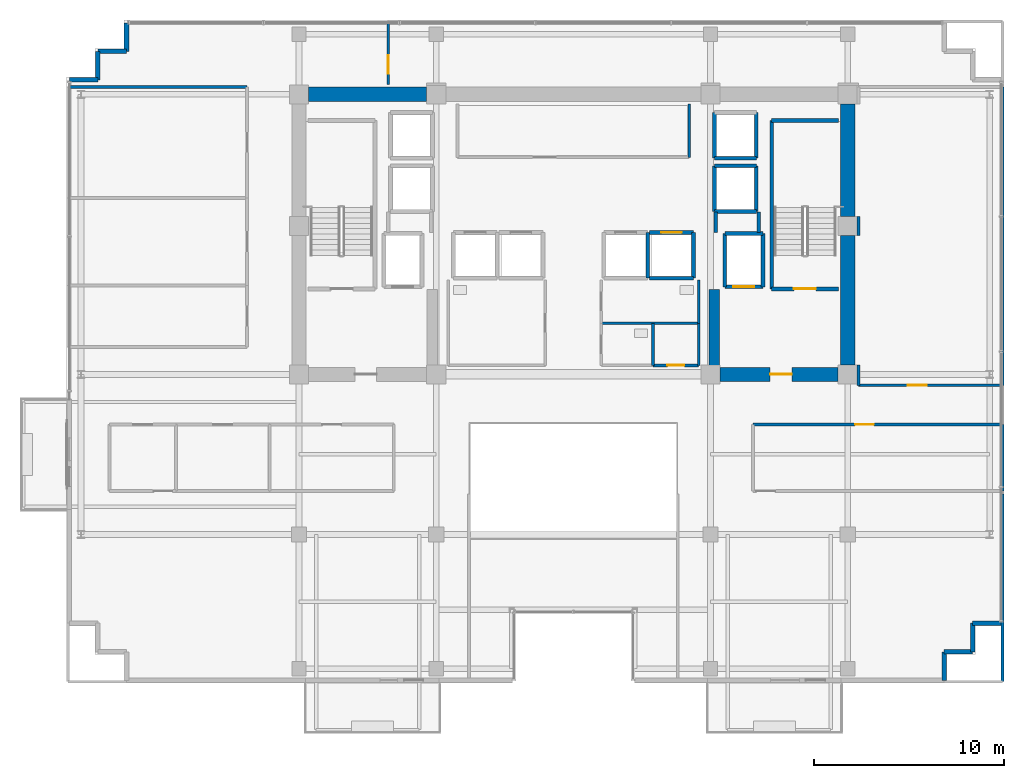
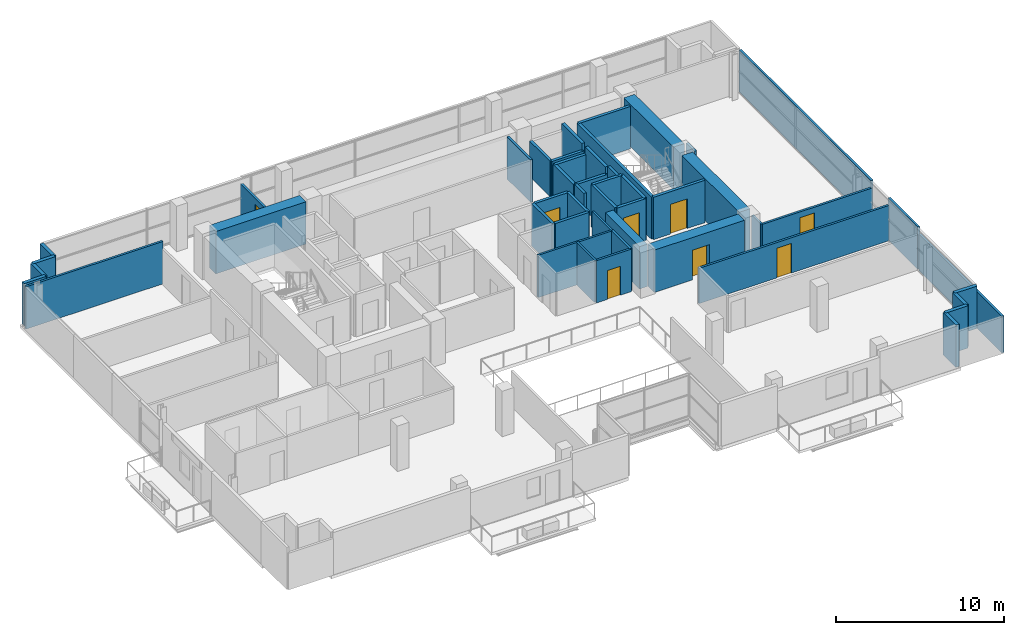
# One storey, part 16 of 21: 48 walls, 8 doors, 8 openings.
"""IFC4 building model written with IfcOpenShell, lengths in metres."""

from ifc_helpers import new_model, si_unit, direction, frame, frame_2d, origin, place, context, subcontext, project, spatial, rectangle, extrude, source, transform, mapped, material, layer, layer_set, type_object, element, fill, save


model = new_model("IFC4")

# Units and contexts
model_context = context("Model", 3, precision=1e-05, world=origin(), true_north=direction((0.0, 1.0)))
body_context = subcontext(model_context, "Body", "Model", "MODEL_VIEW")
ifc_project = project(units=[si_unit("LENGTHUNIT", "METRE"), si_unit("AREAUNIT", "SQUARE_METRE"), si_unit("VOLUMEUNIT", "CUBIC_METRE"), si_unit("PLANEANGLEUNIT", "RADIAN"), si_unit("MASSUNIT", "GRAM", prefix="KILO")], contexts=[model_context])

# Site, building, storey
site_placement = place(None, origin())
site = spatial("IfcSite", under=ifc_project, at=site_placement, CompositionType="ELEMENT")
building_placement = place(site_placement, origin())
building = spatial("IfcBuilding", under=site, at=building_placement, Name="Zarnakvel Exchange Tower", CompositionType="ELEMENT")
storey_placement = place(building_placement, frame((0.0, 0.0, 166.0)))
storey = spatial("IfcBuildingStorey", under=building, at=storey_placement, Name="L46", CompositionType="ELEMENT", Elevation=166.0)

# Walls
ifc_material_1 = material(Name="Concrete C60/75", Category="concrete")
ifc_layer_1 = layer(ifc_material_1, 0.75)
ifc_layer_set_1 = layer_set([ifc_layer_1], Name="Concrete C60/75")
wall_type_1 = type_object("IfcWallType", Name="CW-C3", PredefinedType="SHEAR", material=ifc_layer_set_1)
wall_1_placement = place(storey_placement, frame((-13.89990234375, 13.5, 0.0), z_axis=(0.0, 0.0, 1.0), x_axis=(1.0, 0.0, 0.0)))
element("IfcWall", 1, at=wall_1_placement, inside=storey, type_object=wall_type_1, Name="L46 Rear Core Shear Wall N1 (CW-C3)", PredefinedType="SHEAR", context=body_context, shape_type="SweptSolid", body=[
    extrude(rectangle(XDim=6.199951171875, YDim=0.75, at=frame_2d((3.10009765625, 0.0))), origin(), (0.0, 0.0, 1.0), 3.074951171875),
])
wall_2_placement = place(storey_placement, frame((14.39990234375, -0.699951171875, 0.0), z_axis=(0.0, 0.0, 1.0), x_axis=(0.0, 1.0, 0.0)))
element("IfcWall", 2, at=wall_2_placement, inside=storey, type_object=wall_type_1, Name="L46 Rear Core Shear Wall E1 (CW-C3)", PredefinedType="SHEAR", context=body_context, shape_type="SweptSolid", body=[
    extrude(rectangle(XDim=6.800048828125, YDim=0.75, at=frame_2d((3.39990234375, 0.0))), origin(), (0.0, 0.0, 1.0), 3.074951171875),
])
wall_3_placement = place(storey_placement, frame((14.39990234375, 7.10009765625, 0.0), z_axis=(0.0, 0.0, 1.0), x_axis=(0.0, 1.0, 0.0)))
element("IfcWall", 3, at=wall_3_placement, inside=storey, type_object=wall_type_1, Name="L46 Rear Core Shear Wall E2 (CW-C3)", PredefinedType="SHEAR", context=body_context, shape_type="SweptSolid", body=[
    extrude(rectangle(XDim=5.89990234375, YDim=0.75, at=frame_2d((2.949951171875, 0.0))), origin(), (0.0, 0.0, 1.0), 3.074951171875),
])

# Wall, opening, door
wall_4_placement = place(storey_placement, frame((13.89990234375, -1.199951171875, 0.0), z_axis=(0.0, 0.0, 1.0), x_axis=(-1.0, 0.0, 0.0)))
wall_4 = element("IfcWall", 4, at=wall_4_placement, inside=storey, type_object=wall_type_1, Name="L46 Rear Core Shear Wall SE (CW-C3)", PredefinedType="SHEAR", context=body_context, shape_type="SweptSolid", body=[
    extrude(rectangle(XDim=6.199951171875, YDim=0.75, at=frame_2d((3.10009765625, 0.0))), origin(), (0.0, 0.0, 1.0), 3.074951171875),
])
opening_1_placement = place(wall_4_placement, frame((2.425048828125, 0.0, 0.0)))
opening_1 = element("IfcOpeningElement", 5, at=opening_1_placement, cuts=wall_4, Name="Opening D-L46-04", PredefinedType="OPENING", context=body_context, shape_type="SweptSolid", body=[
    extrude(rectangle(XDim=1.14990234375, YDim=2.14990234375, at=frame_2d((0.574951171875, 1.074951171875))), frame((0.0, 0.385009765625, 0.0), z_axis=(0.0, -1.0, 0.0), x_axis=(1.0, 0.0, 0.0)), (0.0, 0.0, 1.0), 0.77001953125),
])
ifc_material_2 = material(Name="Painted Galvanised Steel S355", Category="steel")
door_type_1 = type_object("IfcDoorType", Name="DT-04", OperationType="NOTDEFINED", PredefinedType="DOOR", material=ifc_material_2)
shared_shape_1 = source(origin(), body_context, "Body", "SweptSolid", [
    extrude(rectangle(XDim=1.14990234375, YDim=2.14990234375, at=frame_2d((0.574951171875, 1.074951171875))), frame((0.0, 0.02490234375, 0.0), z_axis=(0.0, -1.0, 0.0), x_axis=(1.0, 0.0, 0.0)), (0.0, 0.0, 1.0), 0.050048828125),
])
door_1_placement = place(opening_1_placement, origin())
door_1 = element("IfcDoor", 6, at=door_1_placement, inside=storey, type_object=door_type_1, Name="L46 Firefighting Lobby East Door D-L46-04", OperationType="SINGLE_SWING_LEFT", OverallHeight=2.14990234375, OverallWidth=1.14990234375, PredefinedType="DOOR", context=body_context, shape_type="MappedRepresentation", body=[
    mapped(shared_shape_1, transform((0.0, 0.0, 0.0), x_axis=(1.0, 0.0, 0.0), y_axis=(0.0, 1.0, 0.0), z_axis=(0.0, 0.0, 1.0), scale=1.0)),
])
fill(opening_1, door_1)

# Walls
ifc_layer_2 = layer(ifc_material_1, 0.550048828125)
ifc_layer_set_2 = layer_set([ifc_layer_2], Name="Concrete C60/75")
wall_type_2 = type_object("IfcWallType", Name="CW-C4", PredefinedType="SHEAR", material=ifc_layer_set_2)
wall_5_placement = place(storey_placement, frame((7.39990234375, -0.824951171875, 0.0), z_axis=(0.0, 0.0, 1.0), x_axis=(0.0, 1.0, 0.0)))
element("IfcWall", 7, at=wall_5_placement, inside=storey, type_object=wall_type_2, Name="L46 Rear Core Shear Wall IE (CW-C4)", PredefinedType="SHEAR", context=body_context, shape_type="SweptSolid", body=[
    extrude(rectangle(XDim=4.074951171875, YDim=0.550048828125, at=frame_2d((2.03759765625, 0.0))), origin(), (0.0, 0.0, 1.0), 3.074951171875),
])
ifc_material_3 = material(Name="Precast concrete C40/50", Category="concrete")
ifc_layer_3 = layer(ifc_material_3, 0.239990234375)
ifc_layer_set_3 = layer_set([ifc_layer_3], Name="Precast concrete C40/50")
wall_type_3 = type_object("IfcWallType", Name="EW-02", PredefinedType="SOLIDWALL", material=ifc_layer_set_3)
for number, where, z_axis, x_axis, name in (
    (8, (-24.9599609375, 14.260009765625, 0.0), (0.0, 0.0, 1.0), (-1.0, 0.0, 0.0), "L46 Exterior Precast Spandrel Wall EWC-L46-03 (EW-02)"),
    (9, (-24.9599609375, 15.760009765625, 0.0), (0.0, 0.0, 1.0), (0.0, -1.0, 0.0), "L46 Exterior Precast Spandrel Wall EWC-L46-04 (EW-02)"),
    (10, (-23.4599609375, 15.760009765625, 0.0), (0.0, 0.0, 1.0), (-1.0, 0.0, 0.0), "L46 Exterior Precast Spandrel Wall EWC-L46-05 (EW-02)"),
    (11, (-23.4599609375, 17.260009765625, 0.0), (0.0, 0.0, 1.0), (0.0, -1.0, 0.0), "L46 Exterior Precast Spandrel Wall EWC-L46-06 (EW-02)"),
    (12, (20.9599609375, -14.260009765625, 0.0), (0.0, 0.0, 1.0), (1.0, 0.0, 0.0), "L46 Exterior Precast Spandrel Wall EWC-L46-11 (EW-02)"),
    (13, (20.9599609375, -15.760009765625, 0.0), (0.0, 0.0, 1.0), (0.0, 1.0, 0.0), "L46 Exterior Precast Spandrel Wall EWC-L46-12 (EW-02)"),
    (14, (19.4599609375, -15.760009765625, 0.0), (0.0, 0.0, 1.0), (1.0, 0.0, 0.0), "L46 Exterior Precast Spandrel Wall EWC-L46-13 (EW-02)"),
    (15, (19.4599609375, -17.260009765625, 0.0), (0.0, 0.0, 1.0), (0.0, 1.0, 0.0), "L46 Exterior Precast Spandrel Wall EWC-L46-14 (EW-02)"),
):
    element("IfcWall", number, at=place(storey_placement, frame(where, z_axis=z_axis, x_axis=x_axis)), inside=storey, type_object=wall_type_3, Name=name, PredefinedType="SOLIDWALL", context=body_context, shape_type="SweptSolid", body=[
        extrude(rectangle(XDim=1.5, YDim=0.239990234375, at=frame_2d((0.75, 0.0))), origin(), (0.0, 0.0, 1.0), 3.074951171875),
    ])
ifc_material_4 = material(Name="Fire-Rated Gypsum Stud Partition", Category="gypsum")
ifc_layer_4 = layer(ifc_material_4, 0.14990234375)
ifc_layer_set_4 = layer_set([ifc_layer_4], Name="Fire-Rated Gypsum Stud Partition")
wall_type_4 = type_object("IfcWallType", Name="PT-01", PredefinedType="PARTITIONING", material=ifc_layer_set_4)
wall_6_placement = place(storey_placement, frame((6.080078125, 13.0, 0.0), z_axis=(0.0, 0.0, 1.0), x_axis=(0.0, -1.0, 0.0)))
element("IfcWall", 16, at=wall_6_placement, inside=storey, type_object=wall_type_4, Name="L46 Partition Wall PWALL-L46-013 (PT-01)", PredefinedType="PARTITIONING", context=body_context, shape_type="SweptSolid", body=[
    extrude(rectangle(XDim=2.800048828125, YDim=0.14990234375, at=frame_2d((1.39990234375, 0.0))), origin(), (0.0, 0.0, 1.0), 3.074951171875),
])

# Wall, opening, door
wall_7_placement = place(storey_placement, frame((6.580078125, -0.72998046875, 0.0), z_axis=(0.0, 0.0, 1.0), x_axis=(-1.0, 0.0, 0.0)))
wall_7 = element("IfcWall", 17, at=wall_7_placement, inside=storey, type_object=wall_type_4, Name="L46 Partition Wall PWALL-L46-023 (PT-01)", PredefinedType="PARTITIONING", context=body_context, shape_type="SweptSolid", body=[
    extrude(rectangle(XDim=2.400146484375, YDim=0.14990234375, at=frame_2d((1.2001953125, 0.0))), origin(), (0.0, 0.0, 1.0), 3.074951171875),
])
opening_2_placement = place(wall_7_placement, frame((0.760009765625, 0.0, 0.0)))
opening_2 = element("IfcOpeningElement", 18, at=opening_2_placement, cuts=wall_7, Name="Opening D-L46-09", PredefinedType="OPENING", context=body_context, shape_type="SweptSolid", body=[
    extrude(rectangle(XDim=0.8798828125, YDim=2.10009765625, at=frame_2d((0.43994140625, 1.050048828125))), frame((0.0, 0.0849609375, 0.0), z_axis=(0.0, -1.0, 0.0), x_axis=(1.0, 0.0, 0.0)), (0.0, 0.0, 1.0), 0.169921875),
])
door_type_2 = type_object("IfcDoorType", Name="DT-08", OperationType="NOTDEFINED", PredefinedType="DOOR", material=ifc_material_2)
shared_shape_2 = source(origin(), body_context, "Body", "SweptSolid", [
    extrude(rectangle(XDim=0.8798828125, YDim=2.10009765625, at=frame_2d((0.43994140625, 1.050048828125))), frame((0.0, 0.02490234375, 0.0), z_axis=(0.0, -1.0, 0.0), x_axis=(1.0, 0.0, 0.0)), (0.0, 0.0, 1.0), 0.050048828125),
])
door_2_placement = place(opening_2_placement, origin())
door_2 = element("IfcDoor", 19, at=door_2_placement, inside=storey, type_object=door_type_2, Name="L46 Cleaners Store Door D-L46-09", OperationType="SINGLE_SWING_RIGHT", OverallHeight=2.10009765625, OverallWidth=0.8798828125, PredefinedType="DOOR", context=body_context, shape_type="MappedRepresentation", body=[
    mapped(shared_shape_2, transform((0.0, 0.0, 0.0), x_axis=(1.0, 0.0, 0.0), y_axis=(0.0, 1.0, 0.0), z_axis=(0.0, 0.0, 1.0), scale=1.0)),
])
fill(opening_2, door_2)

# Wall
wall_8_placement = place(storey_placement, frame((6.580078125, 1.47998046875, 0.0), z_axis=(0.0, 0.0, 1.0), x_axis=(0.0, -1.0, 0.0)))
element("IfcWall", 20, at=wall_8_placement, inside=storey, type_object=wall_type_4, Name="L46 Partition Wall PWALL-L46-024 (PT-01)", PredefinedType="PARTITIONING", context=body_context, shape_type="SweptSolid", body=[
    extrude(rectangle(XDim=2.2099609375, YDim=0.14990234375, at=frame_2d((1.10498046875, 0.0))), origin(), (0.0, 0.0, 1.0), 3.074951171875),
])

# Wall, opening, door
wall_9_placement = place(storey_placement, frame((9.429931640625, -3.830078125, 0.0), z_axis=(0.0, 0.0, 1.0), x_axis=(1.0, 0.0, 0.0)))
wall_9 = element("IfcWall", 21, at=wall_9_placement, inside=storey, type_object=wall_type_4, Name="L46 Partition Wall PWALL-L46-039 (PT-01)", PredefinedType="PARTITIONING", context=body_context, shape_type="SweptSolid", body=[
    extrude(rectangle(XDim=13.10009765625, YDim=0.14990234375, at=frame_2d((6.550048828125, 0.0))), origin(), (0.0, 0.0, 1.0), 2.56494140625),
])
opening_3_placement = place(wall_9_placement, frame((5.360107421875, 0.0, 0.0)))
opening_3 = element("IfcOpeningElement", 22, at=opening_3_placement, cuts=wall_9, Name="Opening D-L46-14", PredefinedType="OPENING", context=body_context, shape_type="SweptSolid", body=[
    extrude(rectangle(XDim=0.97998046875, YDim=2.14990234375, at=frame_2d((0.489990234375, 1.074951171875))), frame((0.0, 0.0849609375, 0.0), z_axis=(0.0, -1.0, 0.0), x_axis=(1.0, 0.0, 0.0)), (0.0, 0.0, 1.0), 0.169921875),
])
ifc_material_5 = material(Name="Timber Acoustic Veneer", Category="wood")
door_type_3 = type_object("IfcDoorType", Name="DT-05", OperationType="NOTDEFINED", PredefinedType="DOOR", material=ifc_material_5)
shared_shape_3 = source(origin(), body_context, "Body", "SweptSolid", [
    extrude(rectangle(XDim=0.97998046875, YDim=2.14990234375, at=frame_2d((0.489990234375, 1.074951171875))), frame((0.0, 0.02490234375, 0.0), z_axis=(0.0, -1.0, 0.0), x_axis=(1.0, 0.0, 0.0)), (0.0, 0.0, 1.0), 0.050048828125),
])
door_3_placement = place(opening_3_placement, origin())
door_3 = element("IfcDoor", 23, at=door_3_placement, inside=storey, type_object=door_type_3, Name="L46 Conference Room Door D-L46-14", OperationType="SINGLE_SWING_LEFT", OverallHeight=2.14990234375, OverallWidth=0.97998046875, PredefinedType="DOOR", context=body_context, shape_type="MappedRepresentation", body=[
    mapped(shared_shape_3, transform((0.0, 0.0, 0.0), x_axis=(1.0, 0.0, 0.0), y_axis=(0.0, 1.0, 0.0), z_axis=(0.0, 0.0, 1.0), scale=1.0)),
])
fill(opening_3, door_3)

# Walls
wall_10_placement = place(storey_placement, frame((22.530029296875, -3.830078125, 0.0), z_axis=(0.0, 0.0, 1.0), x_axis=(0.0, -1.0, 0.0)))
element("IfcWall", 24, at=wall_10_placement, inside=storey, type_object=wall_type_4, Name="L46 Partition Wall PWALL-L46-041 (PT-01)", PredefinedType="PARTITIONING", context=body_context, shape_type="SweptSolid", body=[
    extrude(rectangle(XDim=3.489990234375, YDim=0.14990234375, at=frame_2d((1.7451171875, 0.0))), origin(), (0.0, 0.0, 1.0), 3.074951171875),
])
wall_11_placement = place(storey_placement, frame((22.530029296875, -7.47998046875, 0.0), z_axis=(0.0, 0.0, 1.0), x_axis=(0.0, -1.0, 0.0)))
element("IfcWall", 25, at=wall_11_placement, inside=storey, type_object=wall_type_4, Name="L46 Partition Wall PWALL-L46-044 (PT-01)", PredefinedType="PARTITIONING", context=body_context, shape_type="SweptSolid", body=[
    extrude(rectangle(XDim=9.85009765625, YDim=0.14990234375, at=frame_2d((4.925048828125, 0.0))), origin(), (0.0, 0.0, 1.0), 2.6650390625),
])
wall_12_placement = place(storey_placement, frame((-26.530029296875, 13.8798828125, 0.0), z_axis=(0.0, 0.0, 1.0), x_axis=(1.0, 0.0, 0.0)))
element("IfcWall", 26, at=wall_12_placement, inside=storey, type_object=wall_type_4, Name="L46 Partition Wall PWALL-L46-052 (PT-01)", PredefinedType="PARTITIONING", context=body_context, shape_type="SweptSolid", body=[
    extrude(rectangle(XDim=9.400146484375, YDim=0.14990234375, at=frame_2d((4.7001953125, 0.0))), origin(), (0.0, 0.0, 1.0), 3.074951171875),
])

# Wall, opening, door
wall_13_placement = place(storey_placement, frame((22.530029296875, -1.77001953125, 0.0), z_axis=(0.0, 0.0, 1.0), x_axis=(-1.0, 0.0, 0.0)))
wall_13 = element("IfcWall", 27, at=wall_13_placement, inside=storey, type_object=wall_type_4, Name="L46 Partition Wall PWALL-L46-055 (PT-01)", PredefinedType="PARTITIONING", context=body_context, shape_type="SweptSolid", body=[
    extrude(rectangle(XDim=7.56005859375, YDim=0.14990234375, at=frame_2d((3.780029296875, 0.0))), origin(), (0.0, 0.0, 1.0), 2.56494140625),
])
opening_4_placement = place(wall_13_placement, frame((3.989990234375, 0.0, 0.0)))
opening_4 = element("IfcOpeningElement", 28, at=opening_4_placement, cuts=wall_13, Name="Opening D-L46-19", PredefinedType="OPENING", context=body_context, shape_type="SweptSolid", body=[
    extrude(rectangle(XDim=0.97998046875, YDim=2.14990234375, at=frame_2d((0.489990234375, 1.074951171875))), frame((0.0, 0.0849609375, 0.0), z_axis=(0.0, -1.0, 0.0), x_axis=(1.0, 0.0, 0.0)), (0.0, 0.0, 1.0), 0.169921875),
])
door_4_placement = place(opening_4_placement, origin())
door_4 = element("IfcDoor", 29, at=door_4_placement, inside=storey, type_object=door_type_3, Name="L46 Staff Pantry Door D-L46-19", OperationType="SINGLE_SWING_RIGHT", OverallHeight=2.14990234375, OverallWidth=0.97998046875, PredefinedType="DOOR", context=body_context, shape_type="MappedRepresentation", body=[
    mapped(shared_shape_3, transform((0.0, 0.0, 0.0), x_axis=(1.0, 0.0, 0.0), y_axis=(0.0, 1.0, 0.0), z_axis=(0.0, 0.0, 1.0), scale=1.0)),
])
fill(opening_4, door_4)

# Walls
wall_14_placement = place(storey_placement, frame((14.969970703125, -1.77001953125, 0.0), z_axis=(0.0, 0.0, 1.0), x_axis=(0.0, 1.0, 0.0)))
element("IfcWall", 30, at=wall_14_placement, inside=storey, type_object=wall_type_4, Name="L46 Partition Wall PWALL-L46-057 (PT-01)", PredefinedType="PARTITIONING", context=body_context, shape_type="SweptSolid", body=[
    extrude(rectangle(XDim=1.070068359375, YDim=0.14990234375, at=frame_2d((0.53515625, 0.0))), origin(), (0.0, 0.0, 1.0), 2.56494140625),
])
wall_15_placement = place(storey_placement, frame((14.969970703125, 6.10009765625, 0.0), z_axis=(0.0, 0.0, 1.0), x_axis=(0.0, 1.0, 0.0)))
element("IfcWall", 31, at=wall_15_placement, inside=storey, type_object=wall_type_4, Name="L46 Partition Wall PWALL-L46-058 (PT-01)", PredefinedType="PARTITIONING", context=body_context, shape_type="SweptSolid", body=[
    extrude(rectangle(XDim=1.0, YDim=0.14990234375, at=frame_2d((0.5, 0.0))), origin(), (0.0, 0.0, 1.0), 3.074951171875),
])
wall_16_placement = place(storey_placement, frame((22.530029296875, 13.8798828125, 0.0), z_axis=(0.0, 0.0, 1.0), x_axis=(0.0, -1.0, 0.0)))
element("IfcWall", 32, at=wall_16_placement, inside=storey, type_object=wall_type_4, Name="L46 Partition Wall PWALL-L46-060 (PT-01)", PredefinedType="PARTITIONING", context=body_context, shape_type="SweptSolid", body=[
    extrude(rectangle(XDim=15.64990234375, YDim=0.14990234375, at=frame_2d((7.824951171875, 0.0))), origin(), (0.0, 0.0, 1.0), 3.074951171875),
])

# Wall, opening, door
wall_17_placement = place(storey_placement, frame((-9.719970703125, 14.030029296875, 0.0), z_axis=(0.0, 0.0, 1.0), x_axis=(0.0, 1.0, 0.0)))
wall_17 = element("IfcWall", 33, at=wall_17_placement, inside=storey, type_object=wall_type_4, Name="L46 Partition Wall PWALL-L46-065 (PT-01)", PredefinedType="PARTITIONING", context=body_context, shape_type="SweptSolid", body=[
    extrude(rectangle(XDim=3.300048828125, YDim=0.14990234375, at=frame_2d((1.64990234375, 0.0))), origin(), (0.0, 0.0, 1.0), 2.56494140625),
])
opening_5_placement = place(wall_17_placement, frame((0.550048828125, 0.0, 0.0)))
opening_5 = element("IfcOpeningElement", 34, at=opening_5_placement, cuts=wall_17, Name="Opening D-L46-20", PredefinedType="OPENING", context=body_context, shape_type="SweptSolid", body=[
    extrude(rectangle(XDim=0.97998046875, YDim=2.14990234375, at=frame_2d((0.489990234375, 1.074951171875))), frame((0.0, 0.0849609375, 0.0), z_axis=(0.0, -1.0, 0.0), x_axis=(1.0, 0.0, 0.0)), (0.0, 0.0, 1.0), 0.169921875),
])
door_5_placement = place(opening_5_placement, origin())
door_5 = element("IfcDoor", 35, at=door_5_placement, inside=storey, type_object=door_type_3, Name="L46 Compliance Office Door D-L46-20", OperationType="SINGLE_SWING_LEFT", OverallHeight=2.14990234375, OverallWidth=0.97998046875, PredefinedType="DOOR", context=body_context, shape_type="MappedRepresentation", body=[
    mapped(shared_shape_3, transform((0.0, 0.0, 0.0), x_axis=(1.0, 0.0, 0.0), y_axis=(0.0, 1.0, 0.0), z_axis=(0.0, 0.0, 1.0), scale=1.0)),
])
fill(opening_5, door_5)

# Walls
ifc_layer_5 = layer(ifc_material_4, 0.179931640625)
ifc_layer_set_5 = layer_set([ifc_layer_5], Name="Fire-Rated Gypsum Stud Partition")
wall_type_5 = type_object("IfcWallType", Name="PT-02", PredefinedType="PARTITIONING", material=ifc_layer_set_5)
wall_18_placement = place(storey_placement, frame((7.469970703125, 6.239990234375, 0.0), z_axis=(0.0, 0.0, 1.0), x_axis=(0.0, 1.0, 0.0)))
element("IfcWall", 36, at=wall_18_placement, inside=storey, type_object=wall_type_5, Name="L46 Partition Wall PWALL-L46-009 (PT-02)", PredefinedType="PARTITIONING", context=body_context, shape_type="SweptSolid", body=[
    extrude(rectangle(XDim=1.090087890625, YDim=0.179931640625, at=frame_2d((0.544921875, 0.0))), origin(), (0.0, 0.0, 1.0), 2.56494140625),
])
wall_19_placement = place(storey_placement, frame((9.72998046875, 7.330078125, 0.0), z_axis=(0.0, 0.0, 1.0), x_axis=(0.0, -1.0, 0.0)))
element("IfcWall", 37, at=wall_19_placement, inside=storey, type_object=wall_type_5, Name="L46 Partition Wall PWALL-L46-010 (PT-02)", PredefinedType="PARTITIONING", context=body_context, shape_type="SweptSolid", body=[
    extrude(rectangle(XDim=1.090087890625, YDim=0.179931640625, at=frame_2d((0.544921875, 0.0))), origin(), (0.0, 0.0, 1.0), 3.074951171875),
])
ifc_material_6 = material(Name="Moisture-Resistant Tile-Faced Partition", Category="gypsum")
ifc_layer_6 = layer(ifc_material_6, 0.135009765625)
ifc_layer_set_6 = layer_set([ifc_layer_6], Name="Moisture-Resistant Tile-Faced Partition")
wall_type_6 = type_object("IfcWallType", Name="PT-03", PredefinedType="PARTITIONING", material=ifc_layer_set_6)
wall_20_placement = place(storey_placement, frame((6.580078125, 1.47998046875, 0.0), z_axis=(0.0, 0.0, 1.0), x_axis=(-1.0, 0.0, 0.0)))
element("IfcWall", 38, at=wall_20_placement, inside=storey, type_object=wall_type_6, Name="L46 Partition Wall PWALL-L46-017 (PT-03)", PredefinedType="PARTITIONING", context=body_context, shape_type="SweptSolid", body=[
    extrude(rectangle(XDim=5.110107421875, YDim=0.135009765625, at=frame_2d((2.55517578125, 0.0))), origin(), (0.0, 0.0, 1.0), 3.074951171875),
])
wall_21_placement = place(storey_placement, frame((6.580078125, 3.760009765625, 0.0), z_axis=(0.0, 0.0, 1.0), x_axis=(0.0, -1.0, 0.0)))
element("IfcWall", 39, at=wall_21_placement, inside=storey, type_object=wall_type_6, Name="L46 Partition Wall PWALL-L46-019 (PT-03)", PredefinedType="PARTITIONING", context=body_context, shape_type="SweptSolid", body=[
    extrude(rectangle(XDim=2.280029296875, YDim=0.135009765625, at=frame_2d((1.14013671875, 0.0))), origin(), (0.0, 0.0, 1.0), 3.074951171875),
])
wall_22_placement = place(storey_placement, frame((4.179931640625, 1.47998046875, 0.0), z_axis=(0.0, 0.0, 1.0), x_axis=(0.0, -1.0, 0.0)))
element("IfcWall", 40, at=wall_22_placement, inside=storey, type_object=wall_type_6, Name="L46 Partition Wall PWALL-L46-022 (PT-03)", PredefinedType="PARTITIONING", context=body_context, shape_type="SweptSolid", body=[
    extrude(rectangle(XDim=2.2099609375, YDim=0.135009765625, at=frame_2d((1.10498046875, 0.0))), origin(), (0.0, 0.0, 1.0), 3.074951171875),
])

# Wall, opening, door
ifc_material_7 = material(Name="Concrete C40/50", Category="concrete")
ifc_layer_7 = layer(ifc_material_7, 0.199951171875)
ifc_layer_set_7 = layer_set([ifc_layer_7], Name="Concrete C40/50")
wall_type_7 = type_object("IfcWallType", Name="SW-01", PredefinedType="SOLIDWALL", material=ifc_layer_set_7)
wall_23_placement = place(storey_placement, frame((9.949951171875, 3.39990234375, 0.0), z_axis=(0.0, 0.0, 1.0), x_axis=(-1.0, 0.0, 0.0)))
wall_23 = element("IfcWall", 41, at=wall_23_placement, inside=storey, type_object=wall_type_7, Name="L46 FL-02 Hoistway Wall South", PredefinedType="SOLIDWALL", context=body_context, shape_type="SweptSolid", body=[
    extrude(rectangle(XDim=2.0, YDim=0.199951171875, at=frame_2d((1.0, 0.0))), origin(), (0.0, 0.0, 1.0), 3.074951171875),
])
opening_6_placement = place(wall_23_placement, frame((0.449951171875, 0.0, 0.0)))
opening_6 = element("IfcOpeningElement", 42, at=opening_6_placement, cuts=wall_23, Name="Opening LD-FL-02-L46", PredefinedType="OPENING", context=body_context, shape_type="SweptSolid", body=[
    extrude(rectangle(XDim=1.10009765625, YDim=2.199951171875, at=frame_2d((0.550048828125, 1.10009765625))), frame((0.0, 0.10986328125, 0.0), z_axis=(0.0, -1.0, 0.0), x_axis=(1.0, 0.0, 0.0)), (0.0, 0.0, 1.0), 0.219970703125),
])
ifc_material_8 = material(Name="Brushed Stainless Steel", Category="steel")
door_type_4 = type_object("IfcDoorType", Name="LDT-01", OperationType="NOTDEFINED", PredefinedType="DOOR", material=ifc_material_8)
shared_shape_4 = source(origin(), body_context, "Body", "SweptSolid", [
    extrude(rectangle(XDim=1.10009765625, YDim=2.199951171875, at=frame_2d((0.550048828125, 1.10009765625))), frame((0.0, 0.02490234375, 0.0), z_axis=(0.0, -1.0, 0.0), x_axis=(1.0, 0.0, 0.0)), (0.0, 0.0, 1.0), 0.050048828125),
])
door_6_placement = place(opening_6_placement, origin())
door_6 = element("IfcDoor", 43, at=door_6_placement, inside=storey, type_object=door_type_4, Name="L46 FL-02 Lift Landing Door LD-FL-02-L46", OperationType="DOUBLE_DOOR_SLIDING", OverallHeight=2.199951171875, OverallWidth=1.10009765625, PredefinedType="DOOR", context=body_context, shape_type="MappedRepresentation", body=[
    mapped(shared_shape_4, transform((0.0, 0.0, 0.0), x_axis=(1.0, 0.0, 0.0), y_axis=(0.0, 1.0, 0.0), z_axis=(0.0, 0.0, 1.0), scale=1.0)),
])
fill(opening_6, door_6)

# Walls
wall_24_placement = place(storey_placement, frame((7.949951171875, 6.199951171875, 0.0), z_axis=(0.0, 0.0, 1.0), x_axis=(1.0, 0.0, 0.0)))
element("IfcWall", 44, at=wall_24_placement, inside=storey, type_object=wall_type_7, Name="L46 FL-02 Hoistway Wall North", PredefinedType="SOLIDWALL", context=body_context, shape_type="SweptSolid", body=[
    extrude(rectangle(XDim=2.0, YDim=0.199951171875, at=frame_2d((1.0, 0.0))), origin(), (0.0, 0.0, 1.0), 3.074951171875),
])
for number, where, z_axis, x_axis, name in (
    (45, (7.949951171875, 3.39990234375, 0.0), (0.0, 0.0, 1.0), (0.0, 1.0, 0.0), "L46 FL-02 Hoistway Wall West"),
    (46, (9.949951171875, 6.199951171875, 0.0), (0.0, 0.0, 1.0), (0.0, -1.0, 0.0), "L46 FL-02 Hoistway Wall East"),
):
    element("IfcWall", number, at=place(storey_placement, frame(where, z_axis=z_axis, x_axis=x_axis)), inside=storey, type_object=wall_type_7, Name=name, PredefinedType="SOLIDWALL", context=body_context, shape_type="SweptSolid", body=[
        extrude(rectangle(XDim=2.800048828125, YDim=0.199951171875, at=frame_2d((1.39990234375, 0.0))), origin(), (0.0, 0.0, 1.0), 3.074951171875),
    ])
wall_25_placement = place(storey_placement, frame((3.89990234375, 6.25, 0.0), z_axis=(0.0, 0.0, 1.0), x_axis=(0.0, -1.0, 0.0)))
element("IfcWall", 47, at=wall_25_placement, inside=storey, type_object=wall_type_7, Name="L46 PL-07 Hoistway Wall East", PredefinedType="SOLIDWALL", context=body_context, shape_type="SweptSolid", body=[
    extrude(rectangle(XDim=2.39990234375, YDim=0.199951171875, at=frame_2d((1.199951171875, 0.0))), origin(), (0.0, 0.0, 1.0), 3.074951171875),
])
wall_26_placement = place(storey_placement, frame((6.300048828125, 3.85009765625, 0.0), z_axis=(0.0, 0.0, 1.0), x_axis=(-1.0, 0.0, 0.0)))
element("IfcWall", 48, at=wall_26_placement, inside=storey, type_object=wall_type_7, Name="L46 PL-08 Hoistway Wall South", PredefinedType="SOLIDWALL", context=body_context, shape_type="SweptSolid", body=[
    extrude(rectangle(XDim=2.300048828125, YDim=0.199951171875, at=frame_2d((1.14990234375, 0.0))), origin(), (0.0, 0.0, 1.0), 3.074951171875),
])

# Wall, opening, door
wall_27_placement = place(storey_placement, frame((4.0, 6.25, 0.0), z_axis=(0.0, 0.0, 1.0), x_axis=(1.0, 0.0, 0.0)))
wall_27 = element("IfcWall", 49, at=wall_27_placement, inside=storey, type_object=wall_type_7, Name="L46 PL-08 Hoistway Wall North", PredefinedType="SOLIDWALL", context=body_context, shape_type="SweptSolid", body=[
    extrude(rectangle(XDim=2.300048828125, YDim=0.199951171875, at=frame_2d((1.14990234375, 0.0))), origin(), (0.0, 0.0, 1.0), 3.074951171875),
])
opening_7_placement = place(wall_27_placement, frame((0.60009765625, 0.0, 0.0)))
opening_7 = element("IfcOpeningElement", 50, at=opening_7_placement, cuts=wall_27, Name="Opening LD-PL-08-L46", PredefinedType="OPENING", context=body_context, shape_type="SweptSolid", body=[
    extrude(rectangle(XDim=1.10009765625, YDim=2.199951171875, at=frame_2d((0.550048828125, 1.10009765625))), frame((0.0, 0.10986328125, 0.0), z_axis=(0.0, -1.0, 0.0), x_axis=(1.0, 0.0, 0.0)), (0.0, 0.0, 1.0), 0.219970703125),
])
ifc_material_9 = material(Name="Architectural Bronze Anodised Aluminium", Category="aluminium")
door_type_5 = type_object("IfcDoorType", Name="LDT-02", OperationType="NOTDEFINED", PredefinedType="DOOR", material=ifc_material_9)
door_7_placement = place(opening_7_placement, origin())
door_7 = element("IfcDoor", 51, at=door_7_placement, inside=storey, type_object=door_type_5, Name="L46 PL-08 Lift Landing Door LD-PL-08-L46", OperationType="DOUBLE_DOOR_SLIDING", OverallHeight=2.199951171875, OverallWidth=1.10009765625, PredefinedType="DOOR", context=body_context, shape_type="MappedRepresentation", body=[
    mapped(shared_shape_4, transform((0.0, 0.0, 0.0), x_axis=(1.0, 0.0, 0.0), y_axis=(0.0, 1.0, 0.0), z_axis=(0.0, 0.0, 1.0), scale=1.0)),
])
fill(opening_7, door_7)

# Walls
wall_28_placement = place(storey_placement, frame((6.300048828125, 6.25, 0.0), z_axis=(0.0, 0.0, 1.0), x_axis=(0.0, -1.0, 0.0)))
element("IfcWall", 52, at=wall_28_placement, inside=storey, type_object=wall_type_7, Name="L46 PL-08 Hoistway Wall East", PredefinedType="SOLIDWALL", context=body_context, shape_type="SweptSolid", body=[
    extrude(rectangle(XDim=2.39990234375, YDim=0.199951171875, at=frame_2d((1.199951171875, 0.0))), origin(), (0.0, 0.0, 1.0), 3.074951171875),
])
for number, where, z_axis, x_axis, name in (
    (53, (9.60009765625, 7.35009765625, 0.0), (0.0, 0.0, 1.0), (-1.0, 0.0, 0.0), "L46 PL-11 Hoistway Wall South"),
    (54, (7.39990234375, 9.75, 0.0), (0.0, 0.0, 1.0), (1.0, 0.0, 0.0), "L46 PL-11 Hoistway Wall North"),
):
    element("IfcWall", number, at=place(storey_placement, frame(where, z_axis=z_axis, x_axis=x_axis)), inside=storey, type_object=wall_type_7, Name=name, PredefinedType="SOLIDWALL", context=body_context, shape_type="SweptSolid", body=[
        extrude(rectangle(XDim=2.2001953125, YDim=0.199951171875, at=frame_2d((1.10009765625, 0.0))), origin(), (0.0, 0.0, 1.0), 2.56494140625),
    ])
wall_29_placement = place(storey_placement, frame((7.39990234375, 7.35009765625, 0.0), z_axis=(0.0, 0.0, 1.0), x_axis=(0.0, 1.0, 0.0)))
element("IfcWall", 55, at=wall_29_placement, inside=storey, type_object=wall_type_7, Name="L46 PL-11 Hoistway Wall West", PredefinedType="SOLIDWALL", context=body_context, shape_type="SweptSolid", body=[
    extrude(rectangle(XDim=2.39990234375, YDim=0.199951171875, at=frame_2d((1.199951171875, 0.0))), origin(), (0.0, 0.0, 1.0), 2.56494140625),
])
wall_30_placement = place(storey_placement, frame((9.60009765625, 9.75, 0.0), z_axis=(0.0, 0.0, 1.0), x_axis=(0.0, -1.0, 0.0)))
element("IfcWall", 56, at=wall_30_placement, inside=storey, type_object=wall_type_7, Name="L46 PL-11 Hoistway Wall East", PredefinedType="SOLIDWALL", context=body_context, shape_type="SweptSolid", body=[
    extrude(rectangle(XDim=2.39990234375, YDim=0.199951171875, at=frame_2d((1.199951171875, 0.0))), origin(), (0.0, 0.0, 1.0), 3.074951171875),
])
wall_31_placement = place(storey_placement, frame((9.60009765625, 10.14990234375, 0.0), z_axis=(0.0, 0.0, 1.0), x_axis=(-1.0, 0.0, 0.0)))
element("IfcWall", 57, at=wall_31_placement, inside=storey, type_object=wall_type_7, Name="L46 PL-12 Hoistway Wall South", PredefinedType="SOLIDWALL", context=body_context, shape_type="SweptSolid", body=[
    extrude(rectangle(XDim=2.2001953125, YDim=0.199951171875, at=frame_2d((1.10009765625, 0.0))), origin(), (0.0, 0.0, 1.0), 2.56494140625),
])
wall_32_placement = place(storey_placement, frame((7.39990234375, 10.14990234375, 0.0), z_axis=(0.0, 0.0, 1.0), x_axis=(0.0, 1.0, 0.0)))
element("IfcWall", 58, at=wall_32_placement, inside=storey, type_object=wall_type_7, Name="L46 PL-12 Hoistway Wall West", PredefinedType="SOLIDWALL", context=body_context, shape_type="SweptSolid", body=[
    extrude(rectangle(XDim=2.400146484375, YDim=0.199951171875, at=frame_2d((1.2001953125, 0.0))), origin(), (0.0, 0.0, 1.0), 2.56494140625),
])
wall_33_placement = place(storey_placement, frame((9.60009765625, 12.550048828125, 0.0), z_axis=(0.0, 0.0, 1.0), x_axis=(0.0, -1.0, 0.0)))
element("IfcWall", 59, at=wall_33_placement, inside=storey, type_object=wall_type_7, Name="L46 PL-12 Hoistway Wall East", PredefinedType="SOLIDWALL", context=body_context, shape_type="SweptSolid", body=[
    extrude(rectangle(XDim=2.400146484375, YDim=0.199951171875, at=frame_2d((1.2001953125, 0.0))), origin(), (0.0, 0.0, 1.0), 3.074951171875),
])

# Wall, opening, door
ifc_layer_8 = layer(ifc_material_7, 0.199951171875)
ifc_layer_set_8 = layer_set([ifc_layer_8], Name="Concrete C40/50")
wall_type_8 = type_object("IfcWallType", Name="SW-02", PredefinedType="SOLIDWALL", material=ifc_layer_set_8)
wall_34_placement = place(storey_placement, frame((13.929931640625, 3.2900390625, 0.0), z_axis=(0.0, 0.0, 1.0), x_axis=(-1.0, 0.0, 0.0)))
wall_34 = element("IfcWall", 60, at=wall_34_placement, inside=storey, type_object=wall_type_8, Name="L46 Stairwell Core Wall PWALL-L46-004 (SW-02)", PredefinedType="SOLIDWALL", context=body_context, shape_type="SweptSolid", body=[
    extrude(rectangle(XDim=3.52001953125, YDim=0.199951171875, at=frame_2d((1.760009765625, 0.0))), origin(), (0.0, 0.0, 1.0), 3.074951171875),
])
opening_8_placement = place(wall_34_placement, frame((1.205078125, 0.0, 0.0)))
opening_8 = element("IfcOpeningElement", 61, at=opening_8_placement, cuts=wall_34, Name="Opening D-L46-02", PredefinedType="OPENING", context=body_context, shape_type="SweptSolid", body=[
    extrude(rectangle(XDim=1.14990234375, YDim=2.14990234375, at=frame_2d((0.574951171875, 1.074951171875))), frame((0.0, 0.10986328125, 0.0), z_axis=(0.0, -1.0, 0.0), x_axis=(1.0, 0.0, 0.0)), (0.0, 0.0, 1.0), 0.219970703125),
])
door_8_placement = place(opening_8_placement, origin())
door_8 = element("IfcDoor", 62, at=door_8_placement, inside=storey, type_object=door_type_1, Name="L46 Stairwell ST-02 Door D-L46-02", OperationType="SINGLE_SWING_LEFT", OverallHeight=2.14990234375, OverallWidth=1.14990234375, PredefinedType="DOOR", context=body_context, shape_type="MappedRepresentation", body=[
    mapped(shared_shape_1, transform((0.0, 0.0, 0.0), x_axis=(1.0, 0.0, 0.0), y_axis=(0.0, 1.0, 0.0), z_axis=(0.0, 0.0, 1.0), scale=1.0)),
])
fill(opening_8, door_8)

# Walls
wall_35_placement = place(storey_placement, frame((10.409912109375, 12.1298828125, 0.0), z_axis=(0.0, 0.0, 1.0), x_axis=(1.0, 0.0, 0.0)))
element("IfcWall", 63, at=wall_35_placement, inside=storey, type_object=wall_type_8, Name="L46 Stairwell Core Wall PWALL-L46-005 (SW-02)", PredefinedType="SOLIDWALL", context=body_context, shape_type="SweptSolid", body=[
    extrude(rectangle(XDim=3.52001953125, YDim=0.199951171875, at=frame_2d((1.760009765625, 0.0))), origin(), (0.0, 0.0, 1.0), 3.074951171875),
])
wall_36_placement = place(storey_placement, frame((10.409912109375, 3.2900390625, 0.0), z_axis=(0.0, 0.0, 1.0), x_axis=(0.0, 1.0, 0.0)))
element("IfcWall", 64, at=wall_36_placement, inside=storey, type_object=wall_type_8, Name="L46 Stairwell Core Wall PWALL-L46-006 (SW-02)", PredefinedType="SOLIDWALL", context=body_context, shape_type="SweptSolid", body=[
    extrude(rectangle(XDim=8.83984375, YDim=0.199951171875, at=frame_2d((4.419921875, 0.0))), origin(), (0.0, 0.0, 1.0), 3.074951171875),
])

save(model, "model.ifc")
